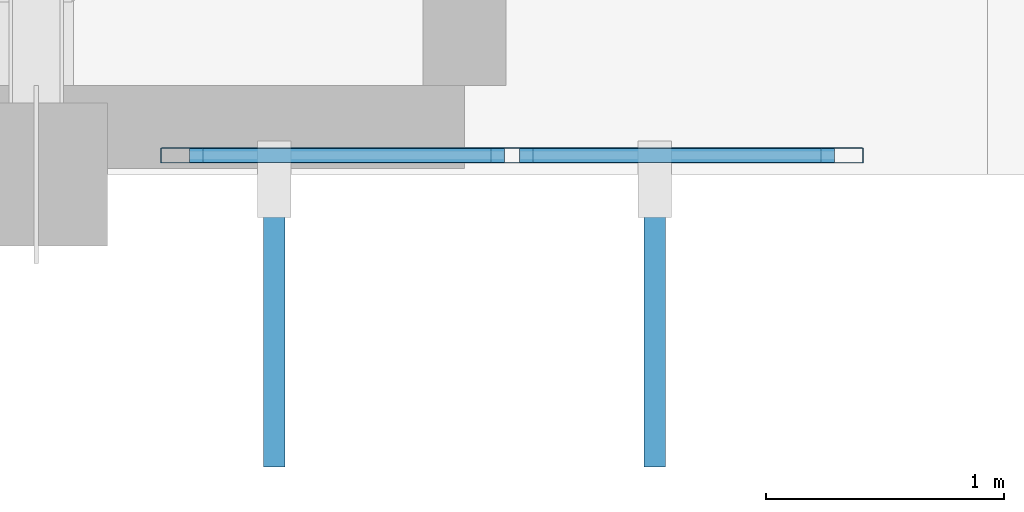
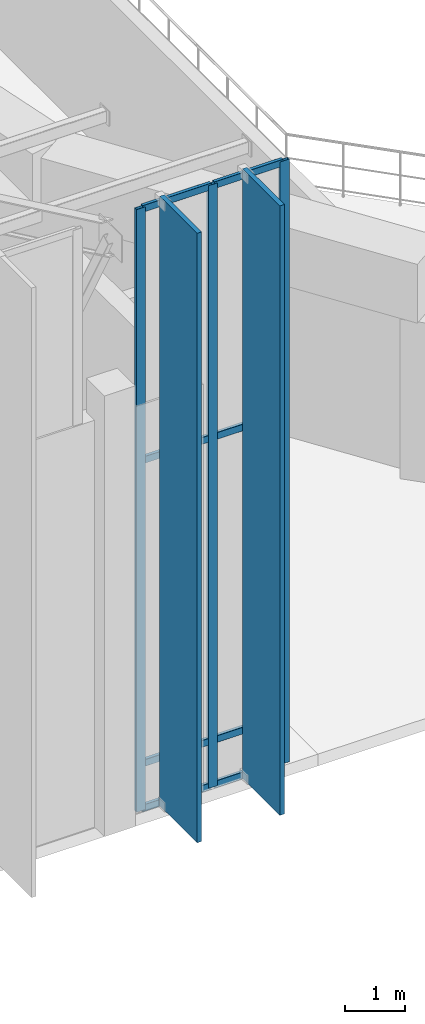
# One storey, part 25 of 68: 13 members, 1 element without a shape of its own.
"""IFC4 building model written with IfcOpenShell, lengths in metres."""

import ifcopenshell
import ifcopenshell.guid

model = None  # the IFC model being written
_history = None  # IfcOwnerHistory: only IFC2X3 demands one
_inside = {}  # id of a spatial element -> (the spatial element, [elements in it])
_under = {}  # id of a project, library or spatial element -> (it, [spatial elements below it])
_declared = {}  # id of a project -> (the project, [libraries it declares])
_typed = {}  # id of a type object -> (the type object, [elements of that type])
_made_of = {}  # id of a material, layer set ... -> (it, [elements and type objects made of it])


def new_model(schema):
    """Start an empty IFC model of exactly this schema.

    Asked for "IFC4X3", IfcOpenShell would pick the latest addendum, in which some entities
    have other attributes; the version numbers below select the first issue.
    IFC2X3 requires an IfcOwnerHistory on every rooted entity: one is made here for all.
    """
    global model, _history
    if schema == "IFC4X3":
        model = ifcopenshell.file(schema_version=(4, 3, 0, 0))
    else:
        model = ifcopenshell.file(schema=schema)
    _inside.clear()
    _under.clear()
    _declared.clear()
    _typed.clear()
    _made_of.clear()
    _history = None
    if model.schema == "IFC2X3":
        org = make("IfcOrganization", Name="unknown")
        user = make(
            "IfcPersonAndOrganization",
            ThePerson=make("IfcPerson", FamilyName="unknown"),
            TheOrganization=org,
        )
        app = make(
            "IfcApplication",
            ApplicationDeveloper=org,
            Version="unknown",
            ApplicationFullName="unknown",
            ApplicationIdentifier="unknown",
        )
        _history = make(
            "IfcOwnerHistory",
            OwningUser=user,
            OwningApplication=app,
            ChangeAction="ADDED",
            CreationDate=0,
        )
    return model


def make(cls, **values):
    """One entity of the class cls with the attributes given. An attribute that is None is left unset."""
    return model.create_entity(
        cls, **{name: value for name, value in values.items() if value is not None}
    )


def rooted(cls, **values):
    """An entity with a GlobalId (a new one), such as an element, a storey or a relation."""
    return make(cls, GlobalId=ifcopenshell.guid.new(), OwnerHistory=_history, **values)


def si_unit(unit_type, name, prefix=None):
    """IfcSIUnit, for example si_unit("LENGTHUNIT", "METRE", prefix="MILLI")."""
    return make("IfcSIUnit", UnitType=unit_type, Prefix=prefix, Name=name)


def assignment(units):
    """IfcUnitAssignment: the units of a project."""
    return None if units is None else make("IfcUnitAssignment", Units=units)


def point(xyz):
    """IfcCartesianPoint."""
    return None if xyz is None else make("IfcCartesianPoint", Coordinates=xyz)


def direction(xyz):
    """IfcDirection."""
    return None if xyz is None else make("IfcDirection", DirectionRatios=xyz)


def frame(location, z_axis=None, x_axis=None):
    """IfcAxis2Placement3D, a coordinate frame: its origin and axes. An axis left out is left unset."""
    return make(
        "IfcAxis2Placement3D",
        Location=point(location),
        Axis=direction(z_axis),
        RefDirection=direction(x_axis),
    )


def frame_2d(location, x_axis=None):
    """IfcAxis2Placement2D, a coordinate frame in the plane: its origin and x axis."""
    return make(
        "IfcAxis2Placement2D", Location=point(location), RefDirection=direction(x_axis)
    )


def origin():
    """The frame at (0, 0, 0) with its axes left unset."""
    return frame((0.0, 0.0, 0.0))


def origin_2d():
    """The frame at (0, 0) in the plane with its x axis left unset."""
    return frame_2d((0.0, 0.0))


def place(relative_to, where):
    """IfcLocalPlacement: puts the frame where relative to a parent placement (None: the world)."""
    return make(
        "IfcLocalPlacement", PlacementRelTo=relative_to, RelativePlacement=where
    )


def context(
    kind, dimensions, precision=None, world=None, true_north=None, identifier=None
):
    """IfcGeometricRepresentationContext, for example the 3D "Model" context."""
    return make(
        "IfcGeometricRepresentationContext",
        ContextIdentifier=identifier,
        ContextType=kind,
        CoordinateSpaceDimension=dimensions,
        Precision=precision,
        WorldCoordinateSystem=world,
        TrueNorth=true_north,
    )


def subcontext(parent, identifier, kind, view, scale=None):
    """IfcGeometricRepresentationSubContext, for example "Body" below "Model"."""
    return make(
        "IfcGeometricRepresentationSubContext",
        ContextIdentifier=identifier,
        ContextType=kind,
        ParentContext=parent,
        TargetScale=scale,
        TargetView=view,
    )


def project(units=None, contexts=None):
    """IfcProject with its units and contexts."""
    return rooted(
        "IfcProject",
        Name="project",
        RepresentationContexts=contexts,
        UnitsInContext=assignment(units),
    )


def spatial(cls, under=None, at=None, **own):
    """A site, building, storey or space (cls), placed at a placement, below another one or the project."""
    s = rooted(cls, ObjectPlacement=at, **own)
    if under is not None:
        _under.setdefault(under.id(), (under, []))[1].append(s)
    return s


def profile(cls, at=None, kind="AREA", **sizes):
    """A parametric profile (cls). Its sizes go by their IFC names, for example OverallWidth=200.0."""
    return make(cls, ProfileType=kind, Position=at, **sizes)


def rectangle(**sizes):
    """IfcRectangleProfileDef."""
    return profile("IfcRectangleProfileDef", **sizes)


def hollow_rectangle(**sizes):
    """IfcRectangleHollowProfileDef."""
    return profile("IfcRectangleHollowProfileDef", **sizes)


def extrude(swept, where, along, depth):
    """IfcExtrudedAreaSolid: the profile swept, set in the frame where, extruded along a direction by depth."""
    return make(
        "IfcExtrudedAreaSolid",
        SweptArea=swept,
        Position=where,
        ExtrudedDirection=direction(along),
        Depth=depth,
    )


def shape(context_of_items, identifier, shape_type, items):
    """IfcShapeRepresentation: the items that make up one representation, for example the "Body"."""
    return make(
        "IfcShapeRepresentation",
        ContextOfItems=context_of_items,
        RepresentationIdentifier=identifier,
        RepresentationType=shape_type,
        Items=items,
    )


def material(Name=None, Category=None):
    """IfcMaterial."""
    return make("IfcMaterial", Name=Name, Category=Category)


def material_profile(
    of_material, cross_section, Name=None, Category=None, Priority=None
):
    """IfcMaterialProfile: a cross section and its material."""
    return make(
        "IfcMaterialProfile",
        Name=Name,
        Material=of_material,
        Profile=cross_section,
        Priority=Priority,
        Category=Category,
    )


def profile_set(profiles, Name=None, composite=None):
    """IfcMaterialProfileSet."""
    return make(
        "IfcMaterialProfileSet",
        Name=Name,
        MaterialProfiles=profiles,
        CompositeProfile=composite,
    )


def made_of(thing, what):
    """Note that an element or type object is made of a material, layer set ...; save() writes the relation."""
    if what is not None:
        _made_of.setdefault(what.id(), (what, []))[1].append(thing)
    return thing


def type_object(cls, material=None, **own):
    """A type object (cls), such as IfcWallType, which elements share."""
    return made_of(rooted(cls, **own), material)


def element(
    cls,
    number,
    at=None,
    inside=None,
    cuts=None,
    type_object=None,
    material=None,
    context=None,
    identifier="Body",
    shape_type=None,
    held_by="IfcProductDefinitionShape",
    body=None,
    shapes=None,
    **own,
):
    """One element of the class cls, such as IfcWall. Its Tag is "e" and its number.

    at: its placement. inside: the storey or other place that contains it. cuts: it is an
    opening in that element (IfcRelVoidsElement). A single representation is given by context,
    identifier, shape_type and body (its items); several are given by shapes. held_by: the class
    of the entity that holds the representations. save() writes the other relations.
    """
    e = rooted(cls, Tag="e%d" % number, ObjectPlacement=at, **own)
    if body is not None:
        shapes = [shape(context, identifier, shape_type, body)]
    if shapes is not None:
        e.Representation = make(held_by, Representations=shapes)
    if inside is not None:
        _inside.setdefault(inside.id(), (inside, []))[1].append(e)
    if cuts is not None:
        rooted(
            "IfcRelVoidsElement", RelatingBuildingElement=cuts, RelatedOpeningElement=e
        )
    if type_object is not None:
        _typed.setdefault(type_object.id(), (type_object, []))[1].append(e)
    return made_of(e, material)


def aggregate(whole, parts):
    """IfcRelAggregates: a whole, such as a stair, and the parts it consists of."""
    return rooted("IfcRelAggregates", RelatingObject=whole, RelatedObjects=parts)


def save(model, path):
    """Write the relations noted so far, then the file.

    IfcRelAggregates (storeys below a building ...), IfcRelContainedInSpatialStructure (elements
    in a storey), IfcRelDefinesByType, IfcRelAssociatesMaterial and IfcRelDeclares: one each for
    every whole, place, type object, material and project.
    """
    for whole, parts in _under.values():
        aggregate(whole, parts)
    for where, things in _inside.values():
        rooted(
            "IfcRelContainedInSpatialStructure",
            RelatedElements=things,
            RelatingStructure=where,
        )
    for kind, things in _typed.values():
        rooted("IfcRelDefinesByType", RelatedObjects=things, RelatingType=kind)
    for what, things in _made_of.values():
        rooted("IfcRelAssociatesMaterial", RelatedObjects=things, RelatingMaterial=what)
    for by, libraries in _declared.values():
        rooted("IfcRelDeclares", RelatingContext=by, RelatedDefinitions=libraries)
    model.write(path)


model = new_model("IFC4")

# Units and contexts
model_context = context("Model", 3, precision=1e-05, world=origin(), true_north=direction((0.0, 1.0)))
body_context = subcontext(model_context, "Body", "Model", "MODEL_VIEW")
ifc_project = project(units=[si_unit("LENGTHUNIT", "METRE"), si_unit("AREAUNIT", "SQUARE_METRE"), si_unit("VOLUMEUNIT", "CUBIC_METRE"), si_unit("PLANEANGLEUNIT", "RADIAN"), si_unit("MASSUNIT", "GRAM", prefix="KILO")], contexts=[model_context])

# Site, building, storey
site_placement = place(None, origin())
site = spatial("IfcSite", under=ifc_project, at=site_placement, CompositionType="ELEMENT")
building_placement = place(site_placement, origin())
building = spatial("IfcBuilding", under=site, at=building_placement, Name="Miravela Opera House", CompositionType="ELEMENT")
storey_placement = place(building_placement, frame((0.0, 0.0, 21.760009765625)))
storey = spatial("IfcBuildingStorey", under=building, at=storey_placement, Name="L05", CompositionType="ELEMENT", Elevation=21.760009765625)

# Curtain wall, members
ifc_material = material(Name="Anodised architectural bronze aluminium 6063-T6", Category="aluminium")
curtain_wall_type = type_object("IfcCurtainWallType", Name="ARC-CW-03", PredefinedType="NOTDEFINED", material=ifc_material)
curtain_wall_placement = place(storey_placement, origin())
curtain_wall = element("IfcCurtainWall", 1, at=curtain_wall_placement, inside=storey, type_object=curtain_wall_type, Name="Auditorium South Wrapper Glazing CW-L05-066", PredefinedType="NOTDEFINED")
ifc_material_profile_1 = material_profile(ifc_material, hollow_rectangle(XDim=0.06494140625, YDim=0.179931640625, WallThickness=0.00390625, InnerFilletRadius=0.001953125, OuterFilletRadius=0.00390625, at=origin_2d()), Name="CWM-65X180")
ifc_profile_set_1 = profile_set([ifc_material_profile_1])
member_type_1 = type_object("IfcMemberType", Name="ARC-CWM-180", PredefinedType="MULLION", material=ifc_profile_set_1)
member_1_placement = place(storey_placement, frame((54.612548828125, 37.080078125, 0.0), z_axis=(0.0, 0.0, 1.0), x_axis=(0.0, 1.0, 0.0)))
member_1 = element("IfcMember", 2, at=member_1_placement, type_object=member_type_1, Name="CW-03 mullion 1", PredefinedType="MULLION", context=body_context, shape_type="SweptSolid", body=[
    extrude(hollow_rectangle(XDim=0.06494140625, YDim=0.179931640625, WallThickness=0.00390625, InnerFilletRadius=0.001953125, OuterFilletRadius=0.00390625, at=origin_2d()), origin(), (0.0, 0.0, 1.0), 12.31005859375),
])
member_2_placement = place(storey_placement, frame((56.0, 37.080078125, 0.0), z_axis=(0.0, 0.0, 1.0), x_axis=(0.0, 1.0, 0.0)))
member_2 = element("IfcMember", 3, at=member_2_placement, type_object=member_type_1, Name="CW-03 mullion 2", PredefinedType="MULLION", context=body_context, shape_type="SweptSolid", body=[
    extrude(hollow_rectangle(XDim=0.06494140625, YDim=0.179931640625, WallThickness=0.00390625, InnerFilletRadius=0.001953125, OuterFilletRadius=0.00390625, at=origin_2d()), origin(), (0.0, 0.0, 1.0), 12.31005859375),
])
member_3_placement = place(storey_placement, frame((57.387451171875, 37.080078125, 0.0), z_axis=(0.0, 0.0, 1.0), x_axis=(0.0, 1.0, 0.0)))
member_3 = element("IfcMember", 4, at=member_3_placement, type_object=member_type_1, Name="CW-03 mullion 3", PredefinedType="MULLION", context=body_context, shape_type="SweptSolid", body=[
    extrude(hollow_rectangle(XDim=0.06494140625, YDim=0.179931640625, WallThickness=0.00390625, InnerFilletRadius=0.001953125, OuterFilletRadius=0.00390625, at=origin_2d()), origin(), (0.0, 0.0, 1.0), 12.31005859375),
])
ifc_material_profile_2 = material_profile(ifc_material, hollow_rectangle(XDim=0.06494140625, YDim=0.139892578125, WallThickness=0.00390625, InnerFilletRadius=0.001953125, OuterFilletRadius=0.00390625, at=origin_2d()), Name="CWT-65X140")
ifc_profile_set_2 = profile_set([ifc_material_profile_2])
member_type_2 = type_object("IfcMemberType", Name="ARC-CWT-140", PredefinedType="USERDEFINED", material=ifc_profile_set_2)
member_4_placement = place(storey_placement, frame((54.64501953125, 37.080078125, 0.032470703125), z_axis=(1.0, 0.0, 0.0), x_axis=(0.0, 1.0, 0.0)))
member_4 = element("IfcMember", 5, at=member_4_placement, type_object=member_type_2, Name="CW-03 transom 1.1", ObjectType="TRANSOM", PredefinedType="USERDEFINED", context=body_context, shape_type="SweptSolid", body=[
    extrude(hollow_rectangle(XDim=0.06494140625, YDim=0.139892578125, WallThickness=0.00390625, InnerFilletRadius=0.001953125, OuterFilletRadius=0.00390625, at=origin_2d()), origin(), (0.0, 0.0, 1.0), 1.322509765625),
])
member_5_placement = place(storey_placement, frame((54.64501953125, 37.080078125, 0.949951171875), z_axis=(1.0, 0.0, 0.0), x_axis=(0.0, 1.0, 0.0)))
member_5 = element("IfcMember", 6, at=member_5_placement, type_object=member_type_2, Name="CW-03 transom 1.2", ObjectType="TRANSOM", PredefinedType="USERDEFINED", context=body_context, shape_type="SweptSolid", body=[
    extrude(hollow_rectangle(XDim=0.06494140625, YDim=0.139892578125, WallThickness=0.00390625, InnerFilletRadius=0.001953125, OuterFilletRadius=0.00390625, at=origin_2d()), origin(), (0.0, 0.0, 1.0), 1.322509765625),
])
member_6_placement = place(storey_placement, frame((54.64501953125, 37.080078125, 7.139892578125), z_axis=(1.0, 0.0, 0.0), x_axis=(0.0, 1.0, 0.0)))
member_6 = element("IfcMember", 7, at=member_6_placement, type_object=member_type_2, Name="CW-03 transom 1.3", ObjectType="TRANSOM", PredefinedType="USERDEFINED", context=body_context, shape_type="SweptSolid", body=[
    extrude(hollow_rectangle(XDim=0.06494140625, YDim=0.139892578125, WallThickness=0.00390625, InnerFilletRadius=0.001953125, OuterFilletRadius=0.00390625, at=origin_2d()), origin(), (0.0, 0.0, 1.0), 1.322509765625),
])
member_7_placement = place(storey_placement, frame((54.64501953125, 37.080078125, 12.277587890625), z_axis=(1.0, 0.0, 0.0), x_axis=(0.0, 1.0, 0.0)))
member_7 = element("IfcMember", 8, at=member_7_placement, type_object=member_type_2, Name="CW-03 transom 1.4", ObjectType="TRANSOM", PredefinedType="USERDEFINED", context=body_context, shape_type="SweptSolid", body=[
    extrude(hollow_rectangle(XDim=0.06494140625, YDim=0.139892578125, WallThickness=0.00390625, InnerFilletRadius=0.001953125, OuterFilletRadius=0.00390625, at=origin_2d()), origin(), (0.0, 0.0, 1.0), 1.322509765625),
])
member_8_placement = place(storey_placement, frame((56.032470703125, 37.080078125, 0.032470703125), z_axis=(1.0, 0.0, 0.0), x_axis=(0.0, 1.0, 0.0)))
member_8 = element("IfcMember", 9, at=member_8_placement, type_object=member_type_2, Name="CW-03 transom 2.1", ObjectType="TRANSOM", PredefinedType="USERDEFINED", context=body_context, shape_type="SweptSolid", body=[
    extrude(hollow_rectangle(XDim=0.06494140625, YDim=0.139892578125, WallThickness=0.00390625, InnerFilletRadius=0.001953125, OuterFilletRadius=0.00390625, at=origin_2d()), origin(), (0.0, 0.0, 1.0), 1.322509765625),
])
member_9_placement = place(storey_placement, frame((56.032470703125, 37.080078125, 0.949951171875), z_axis=(1.0, 0.0, 0.0), x_axis=(0.0, 1.0, 0.0)))
member_9 = element("IfcMember", 10, at=member_9_placement, type_object=member_type_2, Name="CW-03 transom 2.2", ObjectType="TRANSOM", PredefinedType="USERDEFINED", context=body_context, shape_type="SweptSolid", body=[
    extrude(hollow_rectangle(XDim=0.06494140625, YDim=0.139892578125, WallThickness=0.00390625, InnerFilletRadius=0.001953125, OuterFilletRadius=0.00390625, at=origin_2d()), origin(), (0.0, 0.0, 1.0), 1.322509765625),
])
member_10_placement = place(storey_placement, frame((56.032470703125, 37.080078125, 7.139892578125), z_axis=(1.0, 0.0, 0.0), x_axis=(0.0, 1.0, 0.0)))
member_10 = element("IfcMember", 11, at=member_10_placement, type_object=member_type_2, Name="CW-03 transom 2.3", ObjectType="TRANSOM", PredefinedType="USERDEFINED", context=body_context, shape_type="SweptSolid", body=[
    extrude(hollow_rectangle(XDim=0.06494140625, YDim=0.139892578125, WallThickness=0.00390625, InnerFilletRadius=0.001953125, OuterFilletRadius=0.00390625, at=origin_2d()), origin(), (0.0, 0.0, 1.0), 1.322509765625),
])
member_11_placement = place(storey_placement, frame((56.032470703125, 37.080078125, 12.277587890625), z_axis=(1.0, 0.0, 0.0), x_axis=(0.0, 1.0, 0.0)))
member_11 = element("IfcMember", 12, at=member_11_placement, type_object=member_type_2, Name="CW-03 transom 2.4", ObjectType="TRANSOM", PredefinedType="USERDEFINED", context=body_context, shape_type="SweptSolid", body=[
    extrude(hollow_rectangle(XDim=0.06494140625, YDim=0.139892578125, WallThickness=0.00390625, InnerFilletRadius=0.001953125, OuterFilletRadius=0.00390625, at=origin_2d()), origin(), (0.0, 0.0, 1.0), 1.322509765625),
])
aggregate(curtain_wall, [member_1, member_2, member_3, member_4, member_5, member_6, member_7, member_8, member_9, member_10, member_11])

# Members
ifc_material_profile_3 = material_profile(ifc_material, rectangle(XDim=0.090087890625, YDim=1.25, at=origin_2d()), Name="FIN-1250X90")
ifc_profile_set_3 = profile_set([ifc_material_profile_3])
member_type_3 = type_object("IfcMemberType", Name="ARC-FIN-1250", PredefinedType="USERDEFINED", material=ifc_profile_set_3)
for number, where, z_axis, x_axis, name in (
    (13, (55.0, 36.39501953125, 0.0), (0.0, 0.0, 1.0), (1.0, 0.0, 0.0), "Auditorium Wrapper Bronze Solar Fin FIN-L05-SOUTH-0206"),
    (14, (56.60009765625, 36.39501953125, 0.0), (0.0, 0.0, 1.0), (1.0, 0.0, 0.0), "Auditorium Wrapper Bronze Solar Fin FIN-L05-SOUTH-0208"),
):
    element("IfcMember", number, at=place(storey_placement, frame(where, z_axis=z_axis, x_axis=x_axis)), inside=storey, type_object=member_type_3, Name=name, ObjectType="FIN", PredefinedType="USERDEFINED", context=body_context, shape_type="SweptSolid", body=[
        extrude(rectangle(XDim=0.090087890625, YDim=1.25, at=origin_2d()), origin(), (0.0, 0.0, 1.0), 12.449951171875),
    ])

save(model, "model.ifc")
